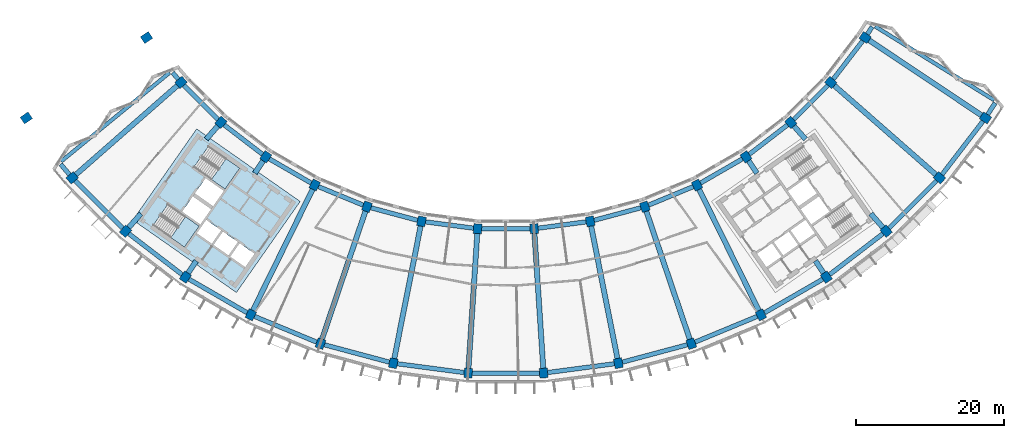
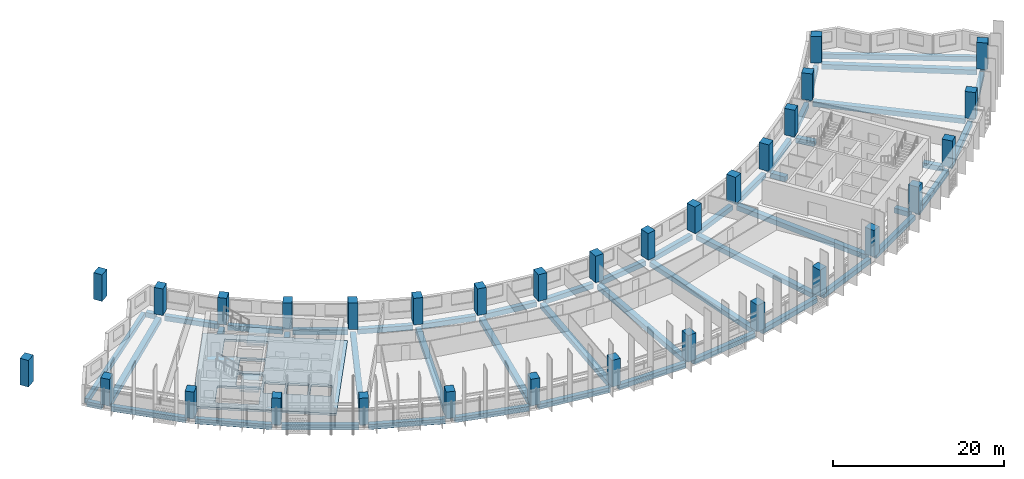
# One storey, part 1 of 27: 53 beams, 32 columns, 3 slabs, 2 elements without a shape of their own.
"""IFC4 building model written with IfcOpenShell, lengths in metres."""

from ifc_helpers import new_model, si_unit, direction, frame, origin, origin_2d, place, context, subcontext, project, spatial, polyline, rectangle, outline, extrude, material, layer, layer_set, material_profile, profile_set, type_object, element, aggregate, save


model = new_model("IFC4")

# Units and contexts
model_context = context("Model", 3, precision=1e-05, world=origin(), true_north=direction((0.0, 1.0)))
body_context = subcontext(model_context, "Body", "Model", "MODEL_VIEW")
ifc_project = project(units=[si_unit("LENGTHUNIT", "METRE"), si_unit("AREAUNIT", "SQUARE_METRE"), si_unit("VOLUMEUNIT", "CUBIC_METRE"), si_unit("PLANEANGLEUNIT", "RADIAN"), si_unit("MASSUNIT", "GRAM", prefix="KILO")], contexts=[model_context])

# Site, building, storey
site_placement = place(None, origin())
site = spatial("IfcSite", under=ifc_project, at=site_placement, CompositionType="ELEMENT")
building_placement = place(site_placement, origin())
building = spatial("IfcBuilding", under=site, at=building_placement, Name="Qamariyya Broadcast Tower", CompositionType="ELEMENT")
storey_placement = place(building_placement, frame((0.0, 0.0, 172.10009765625)))
storey = spatial("IfcBuildingStorey", under=building, at=storey_placement, Name="L40", CompositionType="ELEMENT", Elevation=172.10009765625)

# Columns
ifc_material_1 = material(Name="Concrete C60/75", Category="concrete")
ifc_material_profile_1 = material_profile(ifc_material_1, rectangle(XDim=1.10009765625, YDim=1.300048828125, at=origin_2d()))
ifc_profile_set_1 = profile_set([ifc_material_profile_1], Name="Concrete C60/75")
column_type = type_object("IfcColumnType", Name="RC column 1100 x 1300 C60/75", PredefinedType="COLUMN", material=ifc_profile_set_1)
for number, where, z_axis, x_axis, name in (
    (1, (-43.794677734375, -38.406982421875, 0.0), (0.0, 0.0, 1.0), (0.6593458151, -0.751839807479, 0.0), "Column C8 L40 B-R04"),
    (2, (-58.45556640625, -51.26416015625, 0.0), (0.0, 0.0, 1.0), (0.6593458151, -0.751839807479, 0.0), "Column C8 L40 C-R04"),
    (3, (-38.406982421875, -43.794677734375, 0.0), (0.0, 0.0, 1.0), (0.751839807479, -0.6593458151, 0.0), "Column C8 L40 B-R05"),
    (4, (-51.26416015625, -58.45556640625, 0.0), (0.0, 0.0, 1.0), (0.751839807479, -0.6593458151, 0.0), "Column C8 L40 C-R05"),
    (5, (-32.362060546875, -48.43310546875, 0.0), (0.0, 0.0, 1.0), (0.831469612303, -0.55557023302, 0.0), "Column C8 L40 B-R06"),
    (6, (-43.195556640625, -64.646728515625, 0.0), (0.0, 0.0, 1.0), (0.831469612303, -0.55557023302, 0.0), "Column C8 L40 C-R06"),
    (7, (-25.763427734375, -52.242919921875, 0.0), (0.0, 0.0, 1.0), (0.896872741533, -0.442288690219, 0.0), "Column C8 L40 B-R07"),
    (8, (-34.387939453125, -69.73193359375, 0.0), (0.0, 0.0, 1.0), (0.896872741533, -0.442288690219, 0.0), "Column C8 L40 C-R07"),
    (9, (-18.723876953125, -55.15869140625, 0.0), (0.0, 0.0, 1.0), (0.946930129495, -0.321439465303, 0.0), "Column C8 L40 B-R08"),
    (10, (-24.991943359375, -73.623779296875, 0.0), (0.0, 0.0, 1.0), (0.946930129495, -0.321439465303, 0.0), "Column C8 L40 C-R08"),
    (11, (-11.364013671875, -57.130859375, 0.0), (0.0, 0.0, 1.0), (0.980785280403, -0.195090322016, 0.0), "Column C8 L40 B-R09"),
    (12, (-15.168212890625, -76.256103515625, 0.0), (0.0, 0.0, 1.0), (0.980785280403, -0.195090322016, 0.0), "Column C8 L40 C-R09"),
    (13, (-3.809814453125, -58.125244140625, 0.0), (0.0, 0.0, 1.0), (0.997858923239, -0.06540312923, 0.0), "Column C8 L40 B-R10"),
    (14, (-5.085205078125, -77.58349609375, 0.0), (0.0, 0.0, 1.0), (0.997858923239, -0.06540312923, 0.0), "Column C8 L40 C-R10"),
    (15, (3.809814453125, -58.125244140625, 0.0), (0.0, 0.0, 1.0), (0.997858923239, 0.06540312923, 0.0), "Column C8 L40 B-R11"),
    (16, (5.085205078125, -77.58349609375, 0.0), (0.0, 0.0, 1.0), (0.997858923239, 0.06540312923, 0.0), "Column C8 L40 C-R11"),
    (17, (11.364013671875, -57.130859375, 0.0), (0.0, 0.0, 1.0), (0.980785280403, 0.195090322016, 0.0), "Column C8 L40 B-R12"),
    (18, (15.168212890625, -76.256103515625, 0.0), (0.0, 0.0, 1.0), (0.980785280403, 0.195090322016, 0.0), "Column C8 L40 C-R12"),
    (19, (18.723876953125, -55.15869140625, 0.0), (0.0, 0.0, 1.0), (0.946930129495, 0.321439465303, 0.0), "Column C8 L40 B-R13"),
    (20, (24.991943359375, -73.623779296875, 0.0), (0.0, 0.0, 1.0), (0.946930129495, 0.321439465303, 0.0), "Column C8 L40 C-R13"),
    (21, (25.763427734375, -52.242919921875, 0.0), (0.0, 0.0, 1.0), (0.896872741533, 0.442288690219, 0.0), "Column C8 L40 B-R14"),
    (22, (34.387939453125, -69.73193359375, 0.0), (0.0, 0.0, 1.0), (0.896872741533, 0.442288690219, 0.0), "Column C8 L40 C-R14"),
    (23, (32.362060546875, -48.43310546875, 0.0), (0.0, 0.0, 1.0), (0.831469612303, 0.55557023302, 0.0), "Column C8 L40 B-R15"),
    (24, (43.195556640625, -64.646728515625, 0.0), (0.0, 0.0, 1.0), (0.831469612303, 0.55557023302, 0.0), "Column C8 L40 C-R15"),
    (25, (38.406982421875, -43.794677734375, 0.0), (0.0, 0.0, 1.0), (0.751839807479, 0.6593458151, 0.0), "Column C8 L40 B-R16"),
    (26, (51.26416015625, -58.45556640625, 0.0), (0.0, 0.0, 1.0), (0.751839807479, 0.6593458151, 0.0), "Column C8 L40 C-R16"),
    (27, (43.794677734375, -38.406982421875, 0.0), (0.0, 0.0, 1.0), (0.6593458151, 0.751839807479, 0.0), "Column C8 L40 B-R17"),
    (28, (58.45556640625, -51.26416015625, 0.0), (0.0, 0.0, 1.0), (0.6593458151, 0.751839807479, 0.0), "Column C8 L40 C-R17"),
    (29, (48.43310546875, -32.362060546875, 0.0), (0.0, 0.0, 1.0), (0.55557023302, 0.831469612303, 0.0), "Column C8 L40 B-R18"),
    (30, (64.646728515625, -43.195556640625, 0.0), (0.0, 0.0, 1.0), (0.55557023302, 0.831469612303, 0.0), "Column C8 L40 C-R18"),
    (31, (-48.43310546875, -32.362060546875, 0.0), (0.0, 0.0, 1.0), (0.55557023302, -0.831469612303, 0.0), "Column C8 L40 B-R03"),
    (32, (-64.646728515625, -43.195556640625, 0.0), (0.0, 0.0, 1.0), (0.55557023302, -0.831469612303, 0.0), "Column C8 L40 C-R03"),
):
    element("IfcColumn", number, at=place(storey_placement, frame(where, z_axis=z_axis, x_axis=x_axis)), inside=storey, type_object=column_type, Name=name, PredefinedType="COLUMN", context=body_context, shape_type="SweptSolid", body=[
        extrude(rectangle(XDim=1.10009765625, YDim=1.300048828125, at=origin_2d()), origin(), (0.0, 0.0, 1.0), 3.7998046875),
    ])

# Beams
ifc_material_2 = material(Name="Concrete C40/50", Category="concrete")
ifc_material_profile_2 = material_profile(ifc_material_2, rectangle(XDim=0.60009765625, YDim=0.699951171875, at=origin_2d()))
ifc_profile_set_2 = profile_set([ifc_material_profile_2], Name="Concrete C40/50")
beam_type_1 = type_object("IfcBeamType", Name="RC edge beam 600 x 700 C40/50", PredefinedType="SPANDREL", material=ifc_profile_set_2)
for number, where, z_axis, x_axis, name in (
    (33, (-43.405029296875, -38.796630859375, -0.650146484375), (0.707106781187, -0.707106781187, 0.0), (0.707106781187, 0.707106781187, 0.0), "Edge beam B20 L40 B R04-R05"),
    (34, (-37.9697265625, -44.130126953125, -0.650146484375), (0.793343406719, -0.608774374473, 0.0), (0.608774374473, 0.793343406719, 0.0), "Edge beam B20 L40 B R05-R06"),
):
    element("IfcBeam", number, at=place(storey_placement, frame(where, z_axis=z_axis, x_axis=x_axis)), inside=storey, type_object=beam_type_1, Name=name, PredefinedType="SPANDREL", context=body_context, shape_type="SweptSolid", body=[
        extrude(rectangle(XDim=0.60009765625, YDim=0.699951171875, at=origin_2d()), origin(), (0.0, 0.0, 1.0), 6.517333984375),
    ])
beam_1_placement = place(storey_placement, frame((-31.884521484375, -48.708740234375, -0.650146484375), z_axis=(0.866019015165, -0.500011065251, 0.0), x_axis=(0.500011065251, 0.866019015165, 0.0)))
element("IfcBeam", 35, at=beam_1_placement, inside=storey, type_object=beam_type_1, Name="Edge beam B20 L40 B R06-R07", PredefinedType="SPANDREL", context=body_context, shape_type="SweptSolid", body=[
    extrude(rectangle(XDim=0.60009765625, YDim=0.699951171875, at=origin_2d()), origin(), (0.0, 0.0, 1.0), 6.516845703125),
])
for number, where, z_axis, x_axis, name in (
    (36, (-25.254150390625, -52.453857421875, -0.650146484375), (0.923883967792, -0.382672724475, 0.0), (0.382672724475, 0.923883967792, 0.0), "Edge beam B20 L40 B R07-R08"),
    (37, (-18.19140625, -55.30126953125, -0.650146484375), (0.965923971679, -0.258825966504, 0.0), (0.258825966504, 0.965923971679, 0.0), "Edge beam B20 L40 B R08-R09"),
    (38, (-10.817626953125, -57.20263671875, -0.650146484375), (0.991446388377, -0.130514592953, 0.0), (0.130514592953, 0.991446388377, 0.0), "Edge beam B20 L40 B R09-R10"),
    (39, (-3.258544921875, -58.125244140625, -0.650146484375), (1.0, 0.0, 0.0), (0.0, 1.0, 0.0), "Edge beam B20 L40 B R10-R11"),
    (40, (4.356201171875, -58.05322265625, -0.650146484375), (0.991446388377, 0.130514592953, 0.0), (-0.130514592953, 0.991446388377, 0.0), "Edge beam B20 L40 B R11-R12"),
    (41, (11.896484375, -56.988037109375, -0.650146484375), (0.965923971679, 0.258825966504, 0.0), (-0.258825966504, 0.965923971679, 0.0), "Edge beam B20 L40 B R12-R13"),
    (42, (19.233154296875, -54.94775390625, -0.650146484375), (0.923883967792, 0.382672724475, 0.0), (-0.382672724475, 0.923883967792, 0.0), "Edge beam B20 L40 B R13-R14"),
):
    element("IfcBeam", number, at=place(storey_placement, frame(where, z_axis=z_axis, x_axis=x_axis)), inside=storey, type_object=beam_type_1, Name=name, PredefinedType="SPANDREL", context=body_context, shape_type="SweptSolid", body=[
        extrude(rectangle(XDim=0.60009765625, YDim=0.699951171875, at=origin_2d()), origin(), (0.0, 0.0, 1.0), 6.51708984375),
    ])
beam_2_placement = place(storey_placement, frame((26.24072265625, -51.96728515625, -0.650146484375), z_axis=(0.866019015165, 0.500011065251, 0.0), x_axis=(-0.500011065251, 0.866019015165, 0.0)))
element("IfcBeam", 43, at=beam_2_placement, inside=storey, type_object=beam_type_1, Name="Edge beam B20 L40 B R14-R15", PredefinedType="SPANDREL", context=body_context, shape_type="SweptSolid", body=[
    extrude(rectangle(XDim=0.60009765625, YDim=0.699951171875, at=origin_2d()), origin(), (0.0, 0.0, 1.0), 6.516845703125),
])
for number, where, z_axis, x_axis, name in (
    (44, (32.79931640625, -48.09765625, -0.650146484375), (0.793343406719, 0.608774374473, 0.0), (-0.608774374473, 0.793343406719, 0.0), "Edge beam B20 L40 B R15-R16"),
    (45, (38.796630859375, -43.405029296875, -0.650146484375), (0.707106781187, 0.707106781187, 0.0), (-0.707106781187, 0.707106781187, 0.0), "Edge beam B20 L40 B R16-R17"),
    (46, (44.130126953125, -37.9697265625, -0.650146484375), (0.608774374473, 0.793343406719, 0.0), (-0.793343406719, 0.608774374473, 0.0), "Edge beam B20 L40 B R17-R18"),
):
    element("IfcBeam", number, at=place(storey_placement, frame(where, z_axis=z_axis, x_axis=x_axis)), inside=storey, type_object=beam_type_1, Name=name, PredefinedType="SPANDREL", context=body_context, shape_type="SweptSolid", body=[
        extrude(rectangle(XDim=0.60009765625, YDim=0.699951171875, at=origin_2d()), origin(), (0.0, 0.0, 1.0), 6.517333984375),
    ])
beam_3_placement = place(storey_placement, frame((-58.06591796875, -51.65380859375, -0.650146484375), z_axis=(0.707106781187, -0.707106781187, 0.0), x_axis=(0.707106781187, 0.707106781187, 0.0)))
element("IfcBeam", 47, at=beam_3_placement, inside=storey, type_object=beam_type_1, Name="Edge beam B20 L40 C R04-R05", PredefinedType="SPANDREL", context=body_context, shape_type="SweptSolid", body=[
    extrude(rectangle(XDim=0.60009765625, YDim=0.699951171875, at=origin_2d()), origin(), (0.0, 0.0, 1.0), 9.068115234375),
])
for number, where, z_axis, x_axis, name in (
    (48, (-50.826904296875, -58.791015625, -0.650146484375), (0.793351056372, -0.608764405458, 0.0), (0.608764405458, 0.793351056372, 0.0), "Edge beam B20 L40 C R05-R06"),
    (49, (-42.71826171875, -64.92236328125, -0.650146484375), (0.866025972227, -0.499999015427, 0.0), (0.499999015427, 0.866025972227, 0.0), "Edge beam B20 L40 C R06-R07"),
):
    element("IfcBeam", number, at=place(storey_placement, frame(where, z_axis=z_axis, x_axis=x_axis)), inside=storey, type_object=beam_type_1, Name=name, PredefinedType="SPANDREL", context=body_context, shape_type="SweptSolid", body=[
        extrude(rectangle(XDim=0.60009765625, YDim=0.699951171875, at=origin_2d()), origin(), (0.0, 0.0, 1.0), 9.06787109375),
    ])
beam_4_placement = place(storey_placement, frame((-33.878662109375, -69.94287109375, -0.650146484375), z_axis=(0.923882618409, -0.382675982265, 0.0), x_axis=(0.382675982265, 0.923882618409, 0.0)))
element("IfcBeam", 50, at=beam_4_placement, inside=storey, type_object=beam_type_1, Name="Edge beam B20 L40 C R07-R08", PredefinedType="SPANDREL", context=body_context, shape_type="SweptSolid", body=[
    extrude(rectangle(XDim=0.60009765625, YDim=0.699951171875, at=origin_2d()), origin(), (0.0, 0.0, 1.0), 9.067626953125),
])
for number, where, z_axis, x_axis, name in (
    (51, (-24.45947265625, -73.766357421875, -0.650146484375), (0.965925457615, -0.258820421007, 0.0), (0.258820421007, 0.965925457615, 0.0), "Edge beam B20 L40 C R08-R09"),
    (52, (-14.621826171875, -76.327880859375, -0.650146484375), (0.991444762322, -0.130526944594, 0.0), (0.130526944594, 0.991444762322, 0.0), "Edge beam B20 L40 C R09-R10"),
    (53, (-4.533935546875, -77.58349609375, -0.650146484375), (1.0, 0.0, 0.0), (0.0, 1.0, 0.0), "Edge beam B20 L40 C R10-R11"),
    (54, (5.631591796875, -77.511474609375, -0.650146484375), (0.991444762322, 0.130526944594, 0.0), (-0.130526944594, 0.991444762322, 0.0), "Edge beam B20 L40 C R11-R12"),
    (55, (15.70068359375, -76.11328125, -0.650146484375), (0.965925457615, 0.258820421007, 0.0), (-0.258820421007, 0.965925457615, 0.0), "Edge beam B20 L40 C R12-R13"),
):
    element("IfcBeam", number, at=place(storey_placement, frame(where, z_axis=z_axis, x_axis=x_axis)), inside=storey, type_object=beam_type_1, Name=name, PredefinedType="SPANDREL", context=body_context, shape_type="SweptSolid", body=[
        extrude(rectangle(XDim=0.60009765625, YDim=0.699951171875, at=origin_2d()), origin(), (0.0, 0.0, 1.0), 9.06787109375),
    ])
beam_5_placement = place(storey_placement, frame((25.501220703125, -73.412841796875, -0.650146484375), z_axis=(0.923882618409, 0.382675982265, 0.0), x_axis=(-0.382675982265, 0.923882618409, 0.0)))
element("IfcBeam", 56, at=beam_5_placement, inside=storey, type_object=beam_type_1, Name="Edge beam B20 L40 C R13-R14", PredefinedType="SPANDREL", context=body_context, shape_type="SweptSolid", body=[
    extrude(rectangle(XDim=0.60009765625, YDim=0.699951171875, at=origin_2d()), origin(), (0.0, 0.0, 1.0), 9.067626953125),
])
for number, where, z_axis, x_axis, name in (
    (57, (34.865234375, -69.456298828125, -0.650146484375), (0.866025972227, 0.499999015427, 0.0), (-0.499999015427, 0.866025972227, 0.0), "Edge beam B20 L40 C R14-R15"),
    (58, (43.6328125, -64.311279296875, -0.650146484375), (0.793351056372, 0.608764405458, 0.0), (-0.608764405458, 0.793351056372, 0.0), "Edge beam B20 L40 C R15-R16"),
):
    element("IfcBeam", number, at=place(storey_placement, frame(where, z_axis=z_axis, x_axis=x_axis)), inside=storey, type_object=beam_type_1, Name=name, PredefinedType="SPANDREL", context=body_context, shape_type="SweptSolid", body=[
        extrude(rectangle(XDim=0.60009765625, YDim=0.699951171875, at=origin_2d()), origin(), (0.0, 0.0, 1.0), 9.06787109375),
    ])
beam_6_placement = place(storey_placement, frame((51.65380859375, -58.06591796875, -0.650146484375), z_axis=(0.707106781187, 0.707106781187, 0.0), x_axis=(-0.707106781187, 0.707106781187, 0.0)))
element("IfcBeam", 59, at=beam_6_placement, inside=storey, type_object=beam_type_1, Name="Edge beam B20 L40 C R16-R17", PredefinedType="SPANDREL", context=body_context, shape_type="SweptSolid", body=[
    extrude(rectangle(XDim=0.60009765625, YDim=0.699951171875, at=origin_2d()), origin(), (0.0, 0.0, 1.0), 9.068115234375),
])
beam_7_placement = place(storey_placement, frame((58.791015625, -50.826904296875, -0.650146484375), z_axis=(0.608764405458, 0.793351056372, 0.0), x_axis=(-0.793351056372, 0.608764405458, 0.0)))
element("IfcBeam", 60, at=beam_7_placement, inside=storey, type_object=beam_type_1, Name="Edge beam B20 L40 C R17-R18", PredefinedType="SPANDREL", context=body_context, shape_type="SweptSolid", body=[
    extrude(rectangle(XDim=0.60009765625, YDim=0.699951171875, at=origin_2d()), origin(), (0.0, 0.0, 1.0), 9.06787109375),
])
ifc_material_profile_3 = material_profile(ifc_material_2, rectangle(XDim=0.60009765625, YDim=0.699951171875, at=origin_2d()))
ifc_profile_set_3 = profile_set([ifc_material_profile_3], Name="Concrete C40/50")
beam_type_2 = type_object("IfcBeamType", Name="RC horn beam 600 x 700 C40/50", PredefinedType="BEAM", material=ifc_profile_set_3)
beam_8_placement = place(storey_placement, frame((-44.150146484375, -37.9873046875, -0.650146484375), z_axis=(-0.646374057921, 0.763020692541, 0.0), x_axis=(-0.763020692541, -0.646374057921, 0.0)))
element("IfcBeam", 61, at=beam_8_placement, inside=storey, type_object=beam_type_2, Name="Horn beam B19 L40 W B-R04", PredefinedType="BEAM", context=body_context, shape_type="SweptSolid", body=[
    extrude(rectangle(XDim=0.60009765625, YDim=0.699951171875, at=origin_2d()), origin(), (0.0, 0.0, 1.0), 1.19091796875),
])
beam_9_placement = place(storey_placement, frame((-58.81103515625, -50.844482421875, -0.650146484375), z_axis=(-0.646407589968, 0.762992285434, 0.0), x_axis=(-0.762992285434, -0.646407589968, 0.0)))
element("IfcBeam", 62, at=beam_9_placement, inside=storey, type_object=beam_type_2, Name="Horn beam B19 L40 W C-R04", PredefinedType="BEAM", context=body_context, shape_type="SweptSolid", body=[
    extrude(rectangle(XDim=0.60009765625, YDim=0.699951171875, at=origin_2d()), origin(), (0.0, 0.0, 1.0), 1.857421875),
])
beam_10_placement = place(storey_placement, frame((48.73095703125, -31.8994140625, -0.650146484375), z_axis=(0.541285980086, 0.840838562247, 0.0), x_axis=(-0.840838562247, 0.541285980086, 0.0)))
element("IfcBeam", 63, at=beam_10_placement, inside=storey, type_object=beam_type_2, Name="Horn beam B19 L40 E B-R18", PredefinedType="BEAM", context=body_context, shape_type="SweptSolid", body=[
    extrude(rectangle(XDim=0.60009765625, YDim=0.699951171875, at=origin_2d()), origin(), (0.0, 0.0, 1.0), 1.190673828125),
])
beam_11_placement = place(storey_placement, frame((64.944580078125, -42.733154296875, -0.650146484375), z_axis=(0.541189367156, 0.840900748529, 0.0), x_axis=(-0.840900748529, 0.541189367156, 0.0)))
element("IfcBeam", 64, at=beam_11_placement, inside=storey, type_object=beam_type_2, Name="Horn beam B19 L40 E C-R18", PredefinedType="BEAM", context=body_context, shape_type="SweptSolid", body=[
    extrude(rectangle(XDim=0.60009765625, YDim=0.699951171875, at=origin_2d()), origin(), (0.0, 0.0, 1.0), 1.857177734375),
])
ifc_material_profile_4 = material_profile(ifc_material_2, rectangle(XDim=0.5, YDim=0.699951171875, at=origin_2d()))
ifc_profile_set_4 = profile_set([ifc_material_profile_4], Name="Concrete C40/50")
beam_type_3 = type_object("IfcBeamType", Name="RC horn cap beam 500 x 700 C40/50", PredefinedType="BEAM", material=ifc_profile_set_4)
for number, where, z_axis, x_axis, name in (
    (65, (-45.313720703125, -37.077880859375, -0.650146484375), (-0.773935428623, -0.633264520025, 0.0), (0.633264520025, -0.773935428623, 0.0), "Horn cap beam B21 L40 W B-C"),
    (66, (49.765625, -30.845947265625, -0.650146484375), (0.84996632089, -0.526837027318, 0.0), (0.526837027318, 0.84996632089, 0.0), "Horn cap beam B21 L40 E B-C"),
):
    element("IfcBeam", number, at=place(storey_placement, frame(where, z_axis=z_axis, x_axis=x_axis)), inside=storey, type_object=beam_type_3, Name=name, PredefinedType="BEAM", context=body_context, shape_type="SweptSolid", body=[
        extrude(rectangle(XDim=0.5, YDim=0.699951171875, at=origin_2d()), origin(), (0.0, 0.0, 1.0), 18.900146484375),
    ])
ifc_material_profile_5 = material_profile(ifc_material_2, rectangle(XDim=0.699951171875, YDim=0.699951171875, at=origin_2d()))
ifc_profile_set_5 = profile_set([ifc_material_profile_5], Name="Concrete C40/50")
beam_type_4 = type_object("IfcBeamType", Name="RC radial beam 700 x 700 C40/50", PredefinedType="BEAM", material=ifc_profile_set_5)
beam_12_placement = place(storey_placement, frame((-44.283447265625, -38.83544921875, -0.650146484375), z_axis=(-0.751839141307, -0.659346574723, 0.0), x_axis=(0.659346574723, -0.751839141307, 0.0)))
element("IfcBeam", 67, at=beam_12_placement, inside=storey, type_object=beam_type_4, Name="Radial beam B18 L40 R04 B-C", PredefinedType="BEAM", context=body_context, shape_type="SweptSolid", body=[
    extrude(rectangle(XDim=0.699951171875, YDim=0.699951171875, at=origin_2d()), origin(), (0.0, 0.0, 1.0), 18.199951171875),
])
beam_13_placement = place(storey_placement, frame((-38.83544921875, -44.283447265625, -0.650146484375), z_axis=(-0.659381501846, -0.751808509544, 0.0), x_axis=(0.751808509544, -0.659381501846, 0.0)))
element("IfcBeam", 68, at=beam_13_placement, inside=storey, type_object=beam_type_4, Name="Radial beam B18 L40 R05 B-C", PredefinedType="BEAM", context=body_context, shape_type="SweptSolid", body=[
    extrude(rectangle(XDim=0.699951171875, YDim=0.699951171875, at=origin_2d()), origin(), (0.0, 0.0, 1.0), 2.364013671875),
])
beam_14_placement = place(storey_placement, frame((-49.1943359375, -56.095458984375, -0.650146484375), z_axis=(-0.659344451764, -0.75184100309, 0.0), x_axis=(0.75184100309, -0.659344451764, 0.0)))
element("IfcBeam", 69, at=beam_14_placement, inside=storey, type_object=beam_type_4, Name="Radial beam B18 L40 R05 B-C", PredefinedType="BEAM", context=body_context, shape_type="SweptSolid", body=[
    extrude(rectangle(XDim=0.699951171875, YDim=0.699951171875, at=origin_2d()), origin(), (0.0, 0.0, 1.0), 2.489013671875),
])
beam_15_placement = place(storey_placement, frame((-32.72314453125, -48.9736328125, -0.650146484375), z_axis=(-0.555594913414, -0.83145312086, 0.0), x_axis=(0.83145312086, -0.555594913414, 0.0)))
element("IfcBeam", 70, at=beam_15_placement, inside=storey, type_object=beam_type_4, Name="Radial beam B18 L40 R06 B-C", PredefinedType="BEAM", context=body_context, shape_type="SweptSolid", body=[
    extrude(rectangle(XDim=0.699951171875, YDim=0.699951171875, at=origin_2d()), origin(), (0.0, 0.0, 1.0), 2.014404296875),
])
beam_16_placement = place(storey_placement, frame((-41.733154296875, -62.458251953125, -0.650146484375), z_axis=(-0.555637861027, -0.831424420734, 0.0), x_axis=(0.831424420734, -0.555637861027, 0.0)))
element("IfcBeam", 71, at=beam_16_placement, inside=storey, type_object=beam_type_4, Name="Radial beam B18 L40 R06 B-C", PredefinedType="BEAM", context=body_context, shape_type="SweptSolid", body=[
    extrude(rectangle(XDim=0.699951171875, YDim=0.699951171875, at=origin_2d()), origin(), (0.0, 0.0, 1.0), 1.982177734375),
])
beam_17_placement = place(storey_placement, frame((-26.05078125, -52.82568359375, -0.650146484375), z_axis=(-0.44228110273, -0.896876483228, 0.0), x_axis=(0.896876483228, -0.44228110273, 0.0)))
element("IfcBeam", 72, at=beam_17_placement, inside=storey, type_object=beam_type_4, Name="Radial beam B18 L40 R07 B-C", PredefinedType="BEAM", context=body_context, shape_type="SweptSolid", body=[
    extrude(rectangle(XDim=0.699951171875, YDim=0.699951171875, at=origin_2d()), origin(), (0.0, 0.0, 1.0), 18.2001953125),
])
beam_18_placement = place(storey_placement, frame((-18.932861328125, -55.774169921875, -0.650146484375), z_axis=(-0.321434466477, -0.946931826353, 0.0), x_axis=(0.946931826353, -0.321434466477, 0.0)))
element("IfcBeam", 73, at=beam_18_placement, inside=storey, type_object=beam_type_4, Name="Radial beam B18 L40 R08 B-C", PredefinedType="BEAM", context=body_context, shape_type="SweptSolid", body=[
    extrude(rectangle(XDim=0.699951171875, YDim=0.699951171875, at=origin_2d()), origin(), (0.0, 0.0, 1.0), 18.199951171875),
])
beam_19_placement = place(storey_placement, frame((-11.49072265625, -57.768310546875, -0.650146484375), z_axis=(-0.195097061093, -0.980783939893, 0.0), x_axis=(0.980783939893, -0.195097061093, 0.0)))
element("IfcBeam", 74, at=beam_19_placement, inside=storey, type_object=beam_type_4, Name="Radial beam B18 L40 R09 B-C", PredefinedType="BEAM", context=body_context, shape_type="SweptSolid", body=[
    extrude(rectangle(XDim=0.699951171875, YDim=0.699951171875, at=origin_2d()), origin(), (0.0, 0.0, 1.0), 18.2001953125),
])
for number, where, z_axis, x_axis, name in (
    (75, (-3.852294921875, -58.77392578125, -0.650146484375), (-0.065395361188, -0.997859432353, 0.0), (0.997859432353, -0.065395361188, 0.0), "Radial beam B18 L40 R10 B-C"),
    (76, (3.852294921875, -58.77392578125, -0.650146484375), (0.065395361188, -0.997859432353, 0.0), (0.997859432353, 0.065395361188, 0.0), "Radial beam B18 L40 R11 B-C"),
):
    element("IfcBeam", number, at=place(storey_placement, frame(where, z_axis=z_axis, x_axis=x_axis)), inside=storey, type_object=beam_type_4, Name=name, PredefinedType="BEAM", context=body_context, shape_type="SweptSolid", body=[
        extrude(rectangle(XDim=0.699951171875, YDim=0.699951171875, at=origin_2d()), origin(), (0.0, 0.0, 1.0), 18.199951171875),
    ])
beam_20_placement = place(storey_placement, frame((11.49072265625, -57.768310546875, -0.650146484375), z_axis=(0.195097061093, -0.980783939893, 0.0), x_axis=(0.980783939893, 0.195097061093, 0.0)))
element("IfcBeam", 77, at=beam_20_placement, inside=storey, type_object=beam_type_4, Name="Radial beam B18 L40 R12 B-C", PredefinedType="BEAM", context=body_context, shape_type="SweptSolid", body=[
    extrude(rectangle(XDim=0.699951171875, YDim=0.699951171875, at=origin_2d()), origin(), (0.0, 0.0, 1.0), 18.2001953125),
])
beam_21_placement = place(storey_placement, frame((18.932861328125, -55.774169921875, -0.650146484375), z_axis=(0.321434466477, -0.946931826353, 0.0), x_axis=(0.946931826353, 0.321434466477, 0.0)))
element("IfcBeam", 78, at=beam_21_placement, inside=storey, type_object=beam_type_4, Name="Radial beam B18 L40 R13 B-C", PredefinedType="BEAM", context=body_context, shape_type="SweptSolid", body=[
    extrude(rectangle(XDim=0.699951171875, YDim=0.699951171875, at=origin_2d()), origin(), (0.0, 0.0, 1.0), 18.199951171875),
])
beam_22_placement = place(storey_placement, frame((26.05078125, -52.82568359375, -0.650146484375), z_axis=(0.44228110273, -0.896876483228, 0.0), x_axis=(0.896876483228, 0.44228110273, 0.0)))
element("IfcBeam", 79, at=beam_22_placement, inside=storey, type_object=beam_type_4, Name="Radial beam B18 L40 R14 B-C", PredefinedType="BEAM", context=body_context, shape_type="SweptSolid", body=[
    extrude(rectangle(XDim=0.699951171875, YDim=0.699951171875, at=origin_2d()), origin(), (0.0, 0.0, 1.0), 18.2001953125),
])
beam_23_placement = place(storey_placement, frame((32.72314453125, -48.9736328125, -0.650146484375), z_axis=(0.555594913414, -0.83145312086, 0.0), x_axis=(0.83145312086, 0.555594913414, 0.0)))
element("IfcBeam", 80, at=beam_23_placement, inside=storey, type_object=beam_type_4, Name="Radial beam B18 L40 R15 B-C", PredefinedType="BEAM", context=body_context, shape_type="SweptSolid", body=[
    extrude(rectangle(XDim=0.699951171875, YDim=0.699951171875, at=origin_2d()), origin(), (0.0, 0.0, 1.0), 2.014404296875),
])
beam_24_placement = place(storey_placement, frame((41.733154296875, -62.458251953125, -0.650146484375), z_axis=(0.555637861027, -0.831424420734, 0.0), x_axis=(0.831424420734, 0.555637861027, 0.0)))
element("IfcBeam", 81, at=beam_24_placement, inside=storey, type_object=beam_type_4, Name="Radial beam B18 L40 R15 B-C", PredefinedType="BEAM", context=body_context, shape_type="SweptSolid", body=[
    extrude(rectangle(XDim=0.699951171875, YDim=0.699951171875, at=origin_2d()), origin(), (0.0, 0.0, 1.0), 1.982177734375),
])
beam_25_placement = place(storey_placement, frame((38.83544921875, -44.283447265625, -0.650146484375), z_axis=(0.659381501846, -0.751808509544, 0.0), x_axis=(0.751808509544, 0.659381501846, 0.0)))
element("IfcBeam", 82, at=beam_25_placement, inside=storey, type_object=beam_type_4, Name="Radial beam B18 L40 R16 B-C", PredefinedType="BEAM", context=body_context, shape_type="SweptSolid", body=[
    extrude(rectangle(XDim=0.699951171875, YDim=0.699951171875, at=origin_2d()), origin(), (0.0, 0.0, 1.0), 2.364013671875),
])
beam_26_placement = place(storey_placement, frame((49.1943359375, -56.095458984375, -0.650146484375), z_axis=(0.659344451764, -0.75184100309, 0.0), x_axis=(0.75184100309, 0.659344451764, 0.0)))
element("IfcBeam", 83, at=beam_26_placement, inside=storey, type_object=beam_type_4, Name="Radial beam B18 L40 R16 B-C", PredefinedType="BEAM", context=body_context, shape_type="SweptSolid", body=[
    extrude(rectangle(XDim=0.699951171875, YDim=0.699951171875, at=origin_2d()), origin(), (0.0, 0.0, 1.0), 2.489013671875),
])
beam_27_placement = place(storey_placement, frame((44.283447265625, -38.83544921875, -0.650146484375), z_axis=(0.751839141307, -0.659346574723, 0.0), x_axis=(0.659346574723, 0.751839141307, 0.0)))
element("IfcBeam", 84, at=beam_27_placement, inside=storey, type_object=beam_type_4, Name="Radial beam B18 L40 R17 B-C", PredefinedType="BEAM", context=body_context, shape_type="SweptSolid", body=[
    extrude(rectangle(XDim=0.699951171875, YDim=0.699951171875, at=origin_2d()), origin(), (0.0, 0.0, 1.0), 18.199951171875),
])
beam_28_placement = place(storey_placement, frame((48.9736328125, -32.72314453125, -0.650146484375), z_axis=(0.831467855631, -0.555572862056, 0.0), x_axis=(0.555572862056, 0.831467855631, 0.0)))
element("IfcBeam", 85, at=beam_28_placement, inside=storey, type_object=beam_type_4, Name="Radial beam B18 L40 R18 B-C", PredefinedType="BEAM", context=body_context, shape_type="SweptSolid", body=[
    extrude(rectangle(XDim=0.699951171875, YDim=0.699951171875, at=origin_2d()), origin(), (0.0, 0.0, 1.0), 18.19970703125),
])

# Slab
ifc_layer_1 = layer(ifc_material_2, 0.300048828125)
ifc_layer_set_1 = layer_set([ifc_layer_1], Name="Core floor slab 300 mm Concrete C40/50")
slab_type_1 = type_object("IfcSlabType", Name="Core floor slab 300 mm Concrete C40/50", PredefinedType="FLOOR", material=ifc_layer_set_1)
slab_1_placement = place(storey_placement, frame((0.0, 0.0, -0.300048828125)))
element("IfcSlab", 86, at=slab_1_placement, inside=storey, type_object=slab_type_1, Name="k-W-L40-slab", PredefinedType="FLOOR", context=body_context, shape_type="SweptSolid", body=[
    extrude(outline(polyline([(-50.286376953125, -56.95751953125), (-36.32373046875, -66.734375), (-27.719970703125, -54.447021484375), (-41.6826171875, -44.67041015625), (-50.286376953125, -56.95751953125)]), holes=[polyline([(-33.87353515625, -61.49169921875), (-35.88037109375, -60.08642578125), (-37.142333984375, -61.888427734375), (-35.13525390625, -63.293701171875), (-33.87353515625, -61.49169921875)]), polyline([(-36.126220703125, -59.914306640625), (-38.133056640625, -58.509033203125), (-39.394775390625, -60.311279296875), (-37.387939453125, -61.716552734375), (-36.126220703125, -59.914306640625)]), polyline([(-38.378662109375, -58.3369140625), (-40.3857421875, -56.931640625), (-41.6474609375, -58.73388671875), (-39.640625, -60.13916015625), (-38.378662109375, -58.3369140625)]), polyline([(-39.742431640625, -55.489990234375), (-42.199951171875, -53.769287109375), (-43.6337890625, -55.817138671875), (-41.17626953125, -57.537841796875), (-39.742431640625, -55.489990234375)]), polyline([(-39.45556640625, -55.080322265625), (-41.9130859375, -53.359619140625), (-40.47900390625, -51.311767578125), (-38.021728515625, -53.032470703125), (-39.45556640625, -55.080322265625)]), polyline([(-42.06103515625, -49.837890625), (-37.849609375, -52.78662109375), (-35.870849609375, -49.960693359375), (-40.082275390625, -47.01171875), (-42.06103515625, -49.837890625)]), polyline([(-47.538818359375, -57.66064453125), (-43.3271484375, -60.609619140625), (-41.348388671875, -57.783447265625), (-45.559814453125, -54.834716796875), (-47.538818359375, -57.66064453125)])]), origin(), (0.0, 0.0, 1.0), 0.300048828125),
])

# Stair, slab
ifc_material_3 = material(Name="Concrete C50/60", Category="concrete")
stair_type = type_object("IfcStairType", Name="Exit stair 22 risers of 173 mm", PredefinedType="HALF_TURN_STAIR", material=ifc_material_3)
stair_1_placement = place(storey_placement, origin())
stair_1 = element("IfcStair", 87, at=stair_1_placement, inside=storey, type_object=stair_type, Name="L40 Stair W2", PredefinedType="HALF_TURN_STAIR")
ifc_layer_2 = layer(ifc_material_3, 0.199951171875)
ifc_layer_set_2 = layer_set([ifc_layer_2], Name="Stair landing")
slab_type_2 = type_object("IfcSlabType", Name="Stair landing", PredefinedType="LANDING", material=ifc_layer_set_2)
slab_2_placement = place(storey_placement, frame((0.0, 0.0, 1.699951171875)))
slab_2 = element("IfcSlab", 88, at=slab_2_placement, type_object=slab_type_2, Name="ST-W2 landing 1", PredefinedType="LANDING", context=body_context, shape_type="SweptSolid", body=[
    extrude(outline(polyline([(-39.692138671875, -51.49658203125), (-37.849609375, -52.78662109375), (-35.870849609375, -49.960693359375), (-37.71337890625, -48.67041015625), (-39.692138671875, -51.49658203125)])), origin(), (0.0, 0.0, 1.0), 0.199951171875),
])
aggregate(stair_1, [slab_2])

stair_2_placement = place(storey_placement, origin())
stair_2 = element("IfcStair", 89, at=stair_2_placement, inside=storey, type_object=stair_type, Name="L40 Stair W1", PredefinedType="HALF_TURN_STAIR")
slab_3_placement = place(storey_placement, frame((0.0, 0.0, 1.699951171875)))
slab_3 = element("IfcSlab", 90, at=slab_3_placement, type_object=slab_type_2, Name="ST-W1 landing 1", PredefinedType="LANDING", context=body_context, shape_type="SweptSolid", body=[
    extrude(outline(polyline([(-45.169677734375, -59.319580078125), (-43.3271484375, -60.609619140625), (-41.348388671875, -57.783447265625), (-43.19091796875, -56.493408203125), (-45.169677734375, -59.319580078125)])), origin(), (0.0, 0.0, 1.0), 0.199951171875),
])
aggregate(stair_2, [slab_3])

save(model, "model.ifc")
